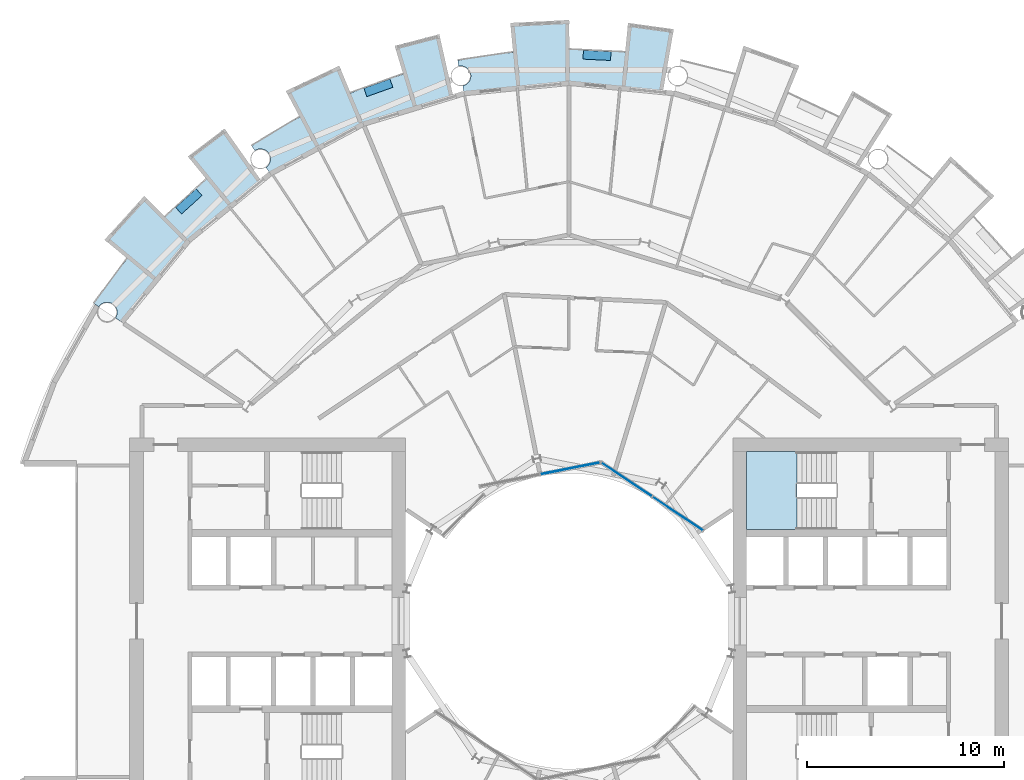
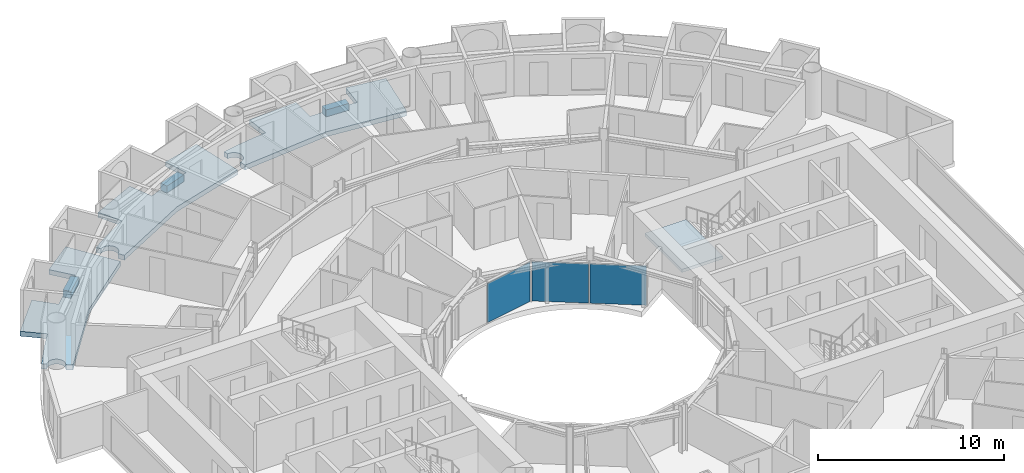
# One storey, part 11 of 26: 7 slabs, 3 plates, 3 elements without a shape of their own.
"""IFC4 building model written with IfcOpenShell, lengths in metres."""

from ifc_helpers import new_model, si_unit, direction, frame, origin, origin_2d, place, context, subcontext, project, spatial, polyline, rectangle, outline, extrude, material, layer, layer_set, type_object, element, aggregate, save


model = new_model("IFC4")

# Units and contexts
model_context = context("Model", 3, precision=1e-05, world=origin(), true_north=direction((0.0, 1.0)))
body_context = subcontext(model_context, "Body", "Model", "MODEL_VIEW")
ifc_project = project(units=[si_unit("LENGTHUNIT", "METRE"), si_unit("AREAUNIT", "SQUARE_METRE"), si_unit("VOLUMEUNIT", "CUBIC_METRE"), si_unit("PLANEANGLEUNIT", "RADIAN"), si_unit("MASSUNIT", "GRAM", prefix="KILO")], contexts=[model_context])

# Site, building, storey
site_placement = place(None, origin())
site = spatial("IfcSite", under=ifc_project, at=site_placement, CompositionType="ELEMENT")
building_placement = place(site_placement, origin())
building = spatial("IfcBuilding", under=site, at=building_placement, Name="Maasbend Ring Residences", CompositionType="ELEMENT")
storey_placement = place(building_placement, frame((0.0, 0.0, 91.050048828125)))
storey = spatial("IfcBuildingStorey", under=building, at=storey_placement, Name="L26", CompositionType="ELEMENT", Elevation=91.050048828125)

# Stair, slab
ifc_material_1 = material(Name="Concrete C40/50", Category="concrete")
stair_type = type_object("IfcStairType", Name="CORE STAIR 18 RISERS", PredefinedType="HALF_TURN_STAIR", material=ifc_material_1)
stair_placement = place(storey_placement, origin())
stair = element("IfcStair", 1, at=stair_placement, inside=storey, type_object=stair_type, Name="L26 Exit stair ST-E1", PredefinedType="HALF_TURN_STAIR")
ifc_material_2 = material(Name="Concrete C40/50", Category="concrete")
ifc_layer_1 = layer(ifc_material_2, 0.199951171875)
ifc_layer_set_1 = layer_set([ifc_layer_1], Name="Concrete C40/50")
slab_type_1 = type_object("IfcSlabType", Name="CORE STAIR LANDING 200", PredefinedType="LANDING", material=ifc_layer_set_1)
slab_1_placement = place(storey_placement, frame((0.0, 0.0, 1.324951171875)))
slab_1 = element("IfcSlab", 2, at=slab_1_placement, type_object=slab_type_1, Name="ST-E1 landing 1", PredefinedType="LANDING", context=body_context, shape_type="SweptSolid", body=[
    extrude(outline(polyline([(11.550048828125, 8.60009765625), (9.0, 8.60009765625), (9.0, 4.64990234375), (11.550048828125, 4.64990234375), (11.550048828125, 8.60009765625)])), origin(), (0.0, 0.0, 1.0), 0.199951171875),
])
aggregate(stair, [slab_1])

# Curtain wall, plates
ifc_material_3 = material(Name="Aluminium and clear glass", Category="aluminium")
ifc_layer_2 = layer(ifc_material_3, 0.179931640625)
ifc_layer_set_2 = layer_set([ifc_layer_2], Name="CW-W")
curtain_wall_type = type_object("IfcCurtainWallType", Name="CW-W", PredefinedType="NOTDEFINED", material=ifc_layer_set_2)
curtain_wall_1_placement = place(storey_placement, origin())
curtain_wall_1 = element("IfcCurtainWall", 3, at=curtain_wall_1_placement, inside=storey, type_object=curtain_wall_type, Name="Well curtain wall N1", PredefinedType="NOTDEFINED")
ifc_material_4 = material(Name="Glass clear laminated", Category="glass")
ifc_layer_3 = layer(ifc_material_4, 0.031982421875)
ifc_layer_set_3 = layer_set([ifc_layer_3], Name="CWP-W")
plate_type = type_object("IfcPlateType", Name="CWP-W", PredefinedType="CURTAIN_PANEL", material=ifc_layer_set_3)
plate_1_placement = place(storey_placement, frame((5.51123046875, 5.44580078125, 0.0), z_axis=(0.0, 0.0, 1.0), x_axis=(-0.831469612303, 0.55557023302, 0.0)))
plate_1 = element("IfcPlate", 4, at=plate_1_placement, type_object=plate_type, Name="Glass panel well face", PredefinedType="CURTAIN_PANEL", context=body_context, shape_type="SweptSolid", body=[
    extrude(rectangle(XDim=3.053955078125, YDim=0.031982421875, at=origin_2d()), origin(), (0.0, 0.0, 1.0), 2.580078125),
])
plate_2_placement = place(storey_placement, frame((2.922119140625, 7.17578125, 0.0), z_axis=(0.0, 0.0, 1.0), x_axis=(-0.831469612303, 0.55557023302, 0.0)))
plate_2 = element("IfcPlate", 5, at=plate_2_placement, type_object=plate_type, Name="Glass panel well face", PredefinedType="CURTAIN_PANEL", context=body_context, shape_type="SweptSolid", body=[
    extrude(rectangle(XDim=3.053955078125, YDim=0.031982421875, at=origin_2d()), origin(), (0.0, 0.0, 1.0), 2.580078125),
])
aggregate(curtain_wall_1, [plate_1, plate_2])

# Curtain wall, plate
curtain_wall_2_placement = place(storey_placement, origin())
curtain_wall_2 = element("IfcCurtainWall", 6, at=curtain_wall_2_placement, inside=storey, type_object=curtain_wall_type, Name="Well curtain wall N2", PredefinedType="NOTDEFINED")
plate_3_placement = place(storey_placement, frame((0.04638671875, 7.747802734375, 0.0), z_axis=(0.0, 0.0, 1.0), x_axis=(-0.980785280403, -0.195090322016, 0.0)))
plate_3 = element("IfcPlate", 7, at=plate_3_placement, type_object=plate_type, Name="Glass panel well face", PredefinedType="CURTAIN_PANEL", context=body_context, shape_type="SweptSolid", body=[
    extrude(rectangle(XDim=3.053955078125, YDim=0.031982421875, at=origin_2d()), origin(), (0.0, 0.0, 1.0), 2.580078125),
])
aggregate(curtain_wall_2, [plate_3])

# Slabs
ifc_material_5 = material(Name="Planting with climbing greenery")
ifc_layer_4 = layer(ifc_material_5, 0.449951171875)
ifc_layer_set_4 = layer_set([ifc_layer_4], Name="PLANTER-LG")
slab_type_2 = type_object("IfcSlabType", Name="PLANTER-LG", PredefinedType="USERDEFINED", material=ifc_layer_set_4)
slab_2_placement = place(storey_placement, frame((0.0, 0.0, -0.030029296875)))
element("IfcSlab", 8, at=slab_2_placement, inside=storey, type_object=slab_type_2, Name="Planter with climbing greenery 3", ObjectType="PLANTER", PredefinedType="USERDEFINED", context=body_context, shape_type="SweptSolid", body=[
    extrude(outline(polyline([(2.1201171875, 28.89599609375), (0.721923828125, 28.965087890625), (0.699951171875, 28.514892578125), (2.097900390625, 28.446044921875), (2.1201171875, 28.89599609375)])), origin(), (0.0, 0.0, 1.0), 0.449951171875),
])
slab_3_placement = place(storey_placement, frame((0.0, 0.0, -0.030029296875)))
element("IfcSlab", 9, at=slab_3_placement, inside=storey, type_object=slab_type_2, Name="Planter with climbing greenery 4", ObjectType="PLANTER", PredefinedType="USERDEFINED", context=body_context, shape_type="SweptSolid", body=[
    extrude(outline(polyline([(-9.09912109375, 27.508056640625), (-10.4169921875, 27.035888671875), (-10.26611328125, 26.612060546875), (-8.947021484375, 27.083984375), (-9.09912109375, 27.508056640625)])), origin(), (0.0, 0.0, 1.0), 0.449951171875),
])
slab_4_placement = place(storey_placement, frame((0.0, 0.0, -0.030029296875)))
element("IfcSlab", 10, at=slab_4_placement, inside=storey, type_object=slab_type_2, Name="Planter with climbing greenery 5", ObjectType="PLANTER", PredefinedType="USERDEFINED", context=body_context, shape_type="SweptSolid", body=[
    extrude(outline(polyline([(-18.93310546875, 21.931884765625), (-19.969970703125, 20.991943359375), (-19.66796875, 20.657958984375), (-18.631103515625, 21.597900390625), (-18.93310546875, 21.931884765625)])), origin(), (0.0, 0.0, 1.0), 0.449951171875),
])
ifc_material_6 = material(Name="Concrete C40/50", Category="concrete")
ifc_layer_5 = layer(ifc_material_6, 0.199951171875)
ifc_layer_set_5 = layer_set([ifc_layer_5], Name="Concrete C40/50")
slab_type_3 = type_object("IfcSlabType", Name="SL-LOGGIA", PredefinedType="FLOOR", material=ifc_layer_set_5)
slab_5_placement = place(storey_placement, frame((0.0, 0.0, -0.35009765625)))
element("IfcSlab", 11, at=slab_5_placement, inside=storey, type_object=slab_type_3, Name="Loggia floor 1", PredefinedType="FLOOR", context=body_context, shape_type="SweptSolid", body=[
    extrude(outline(polyline([(-14.5, 25.114990234375), (-13.6708984375, 25.574951171875), (-13.6708984375, 25.575927734375), (-13.6708984375, 25.575927734375), (-13.6708984375, 25.575927734375), (-13.6708984375, 25.575927734375), (-13.6708984375, 25.575927734375), (-13.6708984375, 25.575927734375), (-13.6708984375, 25.575927734375), (-13.6708984375, 25.575927734375), (-13.6708984375, 25.575927734375), (-13.6708984375, 25.575927734375), (-13.6708984375, 25.575927734375), (-13.6708984375, 25.575927734375), (-13.6708984375, 25.575927734375), (-13.6708984375, 25.575927734375), (-13.6708984375, 25.575927734375), (-13.6708984375, 25.575927734375), (-14.3779296875, 26.89892578125), (-14.3779296875, 26.89892578125), (-14.3779296875, 26.89892578125), (-11.672119140625, 28.177978515625), (-11.672119140625, 28.177978515625), (-11.672119140625, 28.177978515625), (-11.097900390625, 26.79296875), (-11.097900390625, 26.79296875), (-11.097900390625, 26.79296875), (-11.097900390625, 26.79296875), (-11.097900390625, 26.79296875), (-11.097900390625, 26.79296875), (-11.097900390625, 26.79296875), (-11.097900390625, 26.79296875), (-11.097900390625, 26.79296875), (-11.097900390625, 26.79296875), (-11.097900390625, 26.79296875), (-11.097900390625, 26.79296875), (-11.097900390625, 26.79296875), (-11.097900390625, 26.79296875), (-11.096923828125, 26.79296875), (-11.096923828125, 26.79296875), (-11.096923828125, 26.79296875), (-10.215087890625, 27.14111328125), (-10.215087890625, 27.14111328125), (-9.322021484375, 27.4609375), (-9.322021484375, 27.4609375), (-8.4189453125, 27.7509765625), (-8.4189453125, 27.7509765625), (-8.4189453125, 27.7509765625), (-8.4189453125, 27.7509765625), (-8.4189453125, 27.7509765625), (-8.4189453125, 27.7509765625), (-8.41796875, 27.7509765625), (-8.41796875, 27.7509765625), (-8.41796875, 27.7509765625), (-8.41796875, 27.7509765625), (-8.41796875, 27.7509765625), (-8.41796875, 27.751953125), (-8.41796875, 27.751953125), (-8.41796875, 27.751953125), (-8.41796875, 27.751953125), (-8.41796875, 27.751953125), (-8.41796875, 27.751953125), (-8.85400390625, 29.18701171875), (-8.85400390625, 29.18701171875), (-8.85400390625, 29.18701171875), (-6.593994140625, 29.779052734375), (-6.593994140625, 29.779052734375), (-6.593994140625, 29.779052734375), (-5.89111328125, 26.60400390625), (-5.89111328125, 26.60400390625), (-5.89111328125, 26.60400390625), (-7.886962890625, 25.9990234375), (-10.447021484375, 25.221923828125), (-10.447021484375, 25.221923828125), (-10.447021484375, 25.221923828125), (-12.806884765625, 23.9609375), (-15.1669921875, 22.698974609375), (-15.1669921875, 22.698974609375), (-15.1669921875, 22.698974609375), (-15.385009765625, 23.02490234375), (-15.375, 23.031982421875), (-15.364013671875, 23.0390625), (-15.35498046875, 23.047119140625), (-15.344970703125, 23.054931640625), (-15.3349609375, 23.06298828125), (-15.325927734375, 23.071044921875), (-15.31689453125, 23.0791015625), (-15.30810546875, 23.087890625), (-15.299072265625, 23.096923828125), (-15.291015625, 23.10595703125), (-15.281982421875, 23.115966796875), (-15.27392578125, 23.125), (-15.26708984375, 23.135009765625), (-15.259033203125, 23.14501953125), (-15.251953125, 23.155029296875), (-15.2451171875, 23.1650390625), (-15.238037109375, 23.176025390625), (-15.23095703125, 23.18603515625), (-15.22509765625, 23.197021484375), (-15.218994140625, 23.2080078125), (-15.212890625, 23.218994140625), (-15.2080078125, 23.22998046875), (-15.202880859375, 23.241943359375), (-15.197998046875, 23.2529296875), (-15.193115234375, 23.264892578125), (-15.18896484375, 23.27587890625), (-15.18505859375, 23.2880859375), (-15.180908203125, 23.300048828125), (-15.177978515625, 23.31201171875), (-15.174072265625, 23.323974609375), (-15.1708984375, 23.3359375), (-15.1689453125, 23.347900390625), (-15.1669921875, 23.361083984375), (-15.1650390625, 23.373046875), (-15.1630859375, 23.385009765625), (-15.162109375, 23.39794921875), (-15.159912109375, 23.409912109375), (-15.159912109375, 23.422119140625), (-15.158935546875, 23.43505859375), (-15.158935546875, 23.447021484375), (-15.158935546875, 23.4599609375), (-15.159912109375, 23.471923828125), (-15.159912109375, 23.485107421875), (-15.162109375, 23.4970703125), (-15.1630859375, 23.510009765625), (-15.1650390625, 23.52197265625), (-15.1669921875, 23.533935546875), (-15.1689453125, 23.547119140625), (-15.1708984375, 23.55908203125), (-15.174072265625, 23.571044921875), (-15.177978515625, 23.5830078125), (-15.180908203125, 23.594970703125), (-15.18505859375, 23.60693359375), (-15.18896484375, 23.618896484375), (-15.193115234375, 23.6298828125), (-15.197998046875, 23.64208984375), (-15.202880859375, 23.653076171875), (-15.2080078125, 23.6650390625), (-15.212890625, 23.676025390625), (-15.218994140625, 23.68701171875), (-15.22509765625, 23.697998046875), (-15.23095703125, 23.708984375), (-15.238037109375, 23.718994140625), (-15.2451171875, 23.72998046875), (-15.251953125, 23.739990234375), (-15.259033203125, 23.75), (-15.26708984375, 23.760009765625), (-15.27392578125, 23.77001953125), (-15.281982421875, 23.779052734375), (-15.291015625, 23.7890625), (-15.299072265625, 23.798095703125), (-15.30810546875, 23.806884765625), (-15.31689453125, 23.81494140625), (-15.325927734375, 23.823974609375), (-15.3349609375, 23.83203125), (-15.344970703125, 23.840087890625), (-15.35498046875, 23.847900390625), (-15.364013671875, 23.85498046875), (-15.375, 23.863037109375), (-15.385009765625, 23.8701171875), (-15.39501953125, 23.876953125), (-15.406005859375, 23.883056640625), (-15.4169921875, 23.888916015625), (-15.427978515625, 23.89501953125), (-15.43896484375, 23.90087890625), (-15.449951171875, 23.906982421875), (-15.4609375, 23.912109375), (-15.472900390625, 23.9169921875), (-15.48388671875, 23.9208984375), (-15.49609375, 23.926025390625), (-15.508056640625, 23.929931640625), (-15.52001953125, 23.93408203125), (-15.531982421875, 23.93701171875), (-15.5439453125, 23.93994140625), (-15.555908203125, 23.943115234375), (-15.568115234375, 23.946044921875), (-15.580078125, 23.947998046875), (-15.593017578125, 23.949951171875), (-15.60498046875, 23.951904296875), (-15.616943359375, 23.952880859375), (-15.6298828125, 23.9541015625), (-15.64208984375, 23.955078125), (-15.655029296875, 23.955078125), (-15.6669921875, 23.955078125), (-15.679931640625, 23.955078125), (-15.69189453125, 23.955078125), (-15.7041015625, 23.9541015625), (-15.717041015625, 23.952880859375), (-15.72900390625, 23.951904296875), (-15.741943359375, 23.949951171875), (-15.75390625, 23.947998046875), (-15.76611328125, 23.946044921875), (-15.778076171875, 23.943115234375), (-15.791015625, 23.93994140625), (-15.802978515625, 23.93701171875), (-15.81494140625, 23.93408203125), (-15.825927734375, 23.929931640625), (-15.837890625, 23.926025390625), (-15.85009765625, 23.9208984375), (-15.862060546875, 23.9169921875), (-15.873046875, 23.912109375), (-15.884033203125, 23.906982421875), (-15.89599609375, 23.90087890625), (-15.906982421875, 23.89501953125), (-15.9169921875, 23.888916015625), (-15.927978515625, 23.883056640625), (-15.93896484375, 23.876953125), (-15.948974609375, 23.8701171875), (-16.112060546875, 24.113037109375), (-16.112060546875, 24.113037109375), (-16.112060546875, 24.113037109375), (-15.31396484375, 24.626953125), (-15.31396484375, 24.626953125), (-14.5, 25.114990234375), (-14.5, 25.114990234375)])), origin(), (0.0, 0.0, 1.0), 0.320068359375),
])
slab_6_placement = place(storey_placement, frame((0.0, 0.0, -0.35009765625)))
element("IfcSlab", 12, at=slab_6_placement, inside=storey, type_object=slab_type_3, Name="Loggia floor 3", PredefinedType="FLOOR", context=body_context, shape_type="SweptSolid", body=[
    extrude(outline(polyline([(-3.784912109375, 28.751953125), (-2.843017578125, 28.860107421875), (-2.843017578125, 28.860107421875), (-2.843017578125, 28.860107421875), (-2.843017578125, 28.860107421875), (-2.843017578125, 28.860107421875), (-2.843017578125, 28.860107421875), (-2.843017578125, 28.860107421875), (-2.843017578125, 28.860107421875), (-2.843017578125, 28.860107421875), (-2.843017578125, 28.861083984375), (-2.843017578125, 28.861083984375), (-2.843017578125, 28.861083984375), (-2.843017578125, 28.861083984375), (-2.843017578125, 28.861083984375), (-2.843017578125, 28.861083984375), (-2.843017578125, 28.861083984375), (-2.843017578125, 28.861083984375), (-2.989990234375, 30.35302734375), (-2.989990234375, 30.35302734375), (-2.989990234375, 30.35302734375), (0.0, 30.5), (0.0, 30.5), (0.0, 30.5), (0.0, 29.0), (0.0, 29.0), (0.0, 29.0), (0.0, 29.0), (0.0, 29.0), (0.0, 29.0), (0.0, 29.0), (0.0, 29.0), (0.0, 29.0), (0.0, 29.0), (0.0, 29.0), (0.0, 29.0), (0.0, 29.0), (0.0, 29.0), (0.0, 29.0), (0.0, 29.0), (0.0, 29.0), (0.948974609375, 28.98388671875), (0.948974609375, 28.98388671875), (1.89697265625, 28.93798828125), (1.89697265625, 28.93798828125), (2.842041015625, 28.860107421875), (2.842041015625, 28.860107421875), (2.842041015625, 28.860107421875), (2.842041015625, 28.860107421875), (2.842041015625, 28.860107421875), (2.842041015625, 28.860107421875), (2.842041015625, 28.860107421875), (2.842041015625, 28.860107421875), (2.842041015625, 28.861083984375), (2.842041015625, 28.861083984375), (2.842041015625, 28.861083984375), (2.842041015625, 28.861083984375), (2.842041015625, 28.861083984375), (2.843017578125, 28.861083984375), (2.843017578125, 28.861083984375), (2.843017578125, 28.861083984375), (2.843017578125, 28.861083984375), (2.989990234375, 30.35302734375), (2.989990234375, 30.35302734375), (2.989990234375, 30.35302734375), (5.303955078125, 30.034912109375), (5.303955078125, 30.034912109375), (5.303955078125, 30.034912109375), (4.739013671875, 26.8330078125), (4.739013671875, 26.8330078125), (4.739013671875, 26.8330078125), (2.6630859375, 27.0380859375), (0.0, 27.300048828125), (0.0, 27.300048828125), (0.0, 27.300048828125), (-2.6630859375, 27.0380859375), (-5.325927734375, 26.77490234375), (-5.325927734375, 26.77490234375), (-5.325927734375, 26.77490234375), (-5.402099609375, 27.159912109375), (-5.402099609375, 27.159912109375), (-5.389892578125, 27.162109375), (-5.3779296875, 27.1650390625), (-5.365966796875, 27.1689453125), (-5.35400390625, 27.172119140625), (-5.342041015625, 27.176025390625), (-5.330078125, 27.179931640625), (-5.319091796875, 27.18408203125), (-5.306884765625, 27.18896484375), (-5.2958984375, 27.194091796875), (-5.283935546875, 27.198974609375), (-5.27294921875, 27.2041015625), (-5.261962890625, 27.2099609375), (-5.2509765625, 27.216064453125), (-5.239990234375, 27.221923828125), (-5.22998046875, 27.22900390625), (-5.218994140625, 27.236083984375), (-5.208984375, 27.242919921875), (-5.198974609375, 27.25), (-5.18896484375, 27.258056640625), (-5.178955078125, 27.264892578125), (-5.169921875, 27.27294921875), (-5.159912109375, 27.281982421875), (-5.15087890625, 27.2900390625), (-5.14208984375, 27.299072265625), (-5.134033203125, 27.30810546875), (-5.125, 27.31689453125), (-5.116943359375, 27.325927734375), (-5.10888671875, 27.3359375), (-5.10107421875, 27.345947265625), (-5.093017578125, 27.35498046875), (-5.0859375, 27.365966796875), (-5.0791015625, 27.3759765625), (-5.072021484375, 27.385986328125), (-5.06591796875, 27.39697265625), (-5.05908203125, 27.407958984375), (-5.052978515625, 27.4189453125), (-5.048095703125, 27.429931640625), (-5.0419921875, 27.44091796875), (-5.037109375, 27.451904296875), (-5.031982421875, 27.464111328125), (-5.028076171875, 27.47509765625), (-5.02294921875, 27.487060546875), (-5.01904296875, 27.4990234375), (-5.014892578125, 27.510986328125), (-5.011962890625, 27.52294921875), (-5.009033203125, 27.534912109375), (-5.006103515625, 27.547119140625), (-5.0029296875, 27.55908203125), (-5.0009765625, 27.571044921875), (-4.9990234375, 27.583984375), (-4.9970703125, 27.595947265625), (-4.99609375, 27.60791015625), (-4.9951171875, 27.62109375), (-4.993896484375, 27.633056640625), (-4.993896484375, 27.64599609375), (-4.993896484375, 27.657958984375), (-4.993896484375, 27.6708984375), (-4.993896484375, 27.68310546875), (-4.9951171875, 27.695068359375), (-4.99609375, 27.7080078125), (-4.9970703125, 27.719970703125), (-4.9990234375, 27.73291015625), (-5.0009765625, 27.7451171875), (-5.0029296875, 27.757080078125), (-5.006103515625, 27.76904296875), (-5.009033203125, 27.781982421875), (-5.011962890625, 27.7939453125), (-5.014892578125, 27.805908203125), (-5.01904296875, 27.81689453125), (-5.02294921875, 27.8291015625), (-5.028076171875, 27.841064453125), (-5.031982421875, 27.85302734375), (-5.037109375, 27.864013671875), (-5.0419921875, 27.875), (-5.048095703125, 27.886962890625), (-5.052978515625, 27.89794921875), (-5.05908203125, 27.907958984375), (-5.06591796875, 27.9189453125), (-5.072021484375, 27.929931640625), (-5.0791015625, 27.93994140625), (-5.0859375, 27.950927734375), (-5.093017578125, 27.9609375), (-5.10107421875, 27.970947265625), (-5.10888671875, 27.97998046875), (-5.116943359375, 27.989990234375), (-5.125, 27.9990234375), (-5.134033203125, 28.008056640625), (-5.14208984375, 28.01708984375), (-5.15087890625, 28.02587890625), (-5.159912109375, 28.034912109375), (-5.169921875, 28.04296875), (-5.178955078125, 28.051025390625), (-5.18896484375, 28.05908203125), (-5.198974609375, 28.06591796875), (-5.208984375, 28.072998046875), (-5.218994140625, 28.080078125), (-5.22998046875, 28.0869140625), (-5.239990234375, 28.093994140625), (-5.2509765625, 28.10009765625), (-5.261962890625, 28.10595703125), (-5.27294921875, 28.112060546875), (-5.283935546875, 28.116943359375), (-5.2958984375, 28.123046875), (-5.306884765625, 28.126953125), (-5.319091796875, 28.132080078125), (-5.330078125, 28.135986328125), (-5.342041015625, 28.139892578125), (-5.35400390625, 28.14404296875), (-5.365966796875, 28.14794921875), (-5.3779296875, 28.15087890625), (-5.389892578125, 28.154052734375), (-5.402099609375, 28.156005859375), (-5.4150390625, 28.158935546875), (-5.427001953125, 28.160888671875), (-5.43896484375, 28.162109375), (-5.451904296875, 28.1640625), (-5.464111328125, 28.1650390625), (-5.47705078125, 28.1650390625), (-5.489013671875, 28.166015625), (-5.501953125, 28.166015625), (-5.513916015625, 28.166015625), (-5.52587890625, 28.1650390625), (-5.5390625, 28.1650390625), (-5.551025390625, 28.1640625), (-5.56396484375, 28.162109375), (-5.575927734375, 28.160888671875), (-5.587890625, 28.158935546875), (-5.60107421875, 28.156005859375), (-5.60107421875, 28.156005859375), (-5.657958984375, 28.443115234375), (-5.657958984375, 28.443115234375), (-5.657958984375, 28.443115234375), (-4.72412109375, 28.613037109375), (-4.72412109375, 28.613037109375), (-3.784912109375, 28.751953125), (-3.784912109375, 28.751953125)])), origin(), (0.0, 0.0, 1.0), 0.320068359375),
])
slab_7_placement = place(storey_placement, frame((0.0, 0.0, -0.35009765625)))
element("IfcSlab", 13, at=slab_7_placement, inside=storey, type_object=slab_type_3, Name="Loggia floor 5", PredefinedType="FLOOR", context=body_context, shape_type="SweptSolid", body=[
    extrude(outline(polyline([(-23.007080078125, 17.654052734375), (-22.41796875, 18.39697265625), (-22.41796875, 18.39697265625), (-22.41796875, 18.39697265625), (-22.41796875, 18.39697265625), (-22.41796875, 18.39697265625), (-22.41796875, 18.39697265625), (-22.41796875, 18.39697265625), (-22.41796875, 18.39697265625), (-22.41796875, 18.39697265625), (-22.41796875, 18.39697265625), (-22.41796875, 18.39697265625), (-22.41796875, 18.39794921875), (-22.41796875, 18.39794921875), (-22.41796875, 18.39794921875), (-22.41796875, 18.39794921875), (-22.41796875, 18.39794921875), (-22.41796875, 18.39794921875), (-23.576904296875, 19.34912109375), (-23.576904296875, 19.34912109375), (-23.576904296875, 19.34912109375), (-21.56689453125, 21.56689453125), (-21.56689453125, 21.56689453125), (-21.56689453125, 21.56689453125), (-20.506103515625, 20.506103515625), (-20.506103515625, 20.506103515625), (-20.506103515625, 20.506103515625), (-20.506103515625, 20.506103515625), (-20.506103515625, 20.506103515625), (-20.506103515625, 20.506103515625), (-20.506103515625, 20.506103515625), (-20.506103515625, 20.506103515625), (-20.506103515625, 20.506103515625), (-20.506103515625, 20.506103515625), (-20.506103515625, 20.506103515625), (-20.506103515625, 20.506103515625), (-20.506103515625, 20.506103515625), (-20.506103515625, 20.506103515625), (-20.506103515625, 20.506103515625), (-20.506103515625, 20.506103515625), (-20.506103515625, 20.506103515625), (-19.823974609375, 21.166015625), (-19.823974609375, 21.166015625), (-19.12109375, 21.802978515625), (-19.12109375, 21.802978515625), (-18.39794921875, 22.4169921875), (-18.39794921875, 22.4169921875), (-18.39794921875, 22.4169921875), (-18.39794921875, 22.4169921875), (-18.39794921875, 22.4169921875), (-18.39794921875, 22.4169921875), (-18.39794921875, 22.4169921875), (-18.39794921875, 22.4169921875), (-18.39794921875, 22.4169921875), (-18.39794921875, 22.4169921875), (-18.39794921875, 22.4169921875), (-18.39794921875, 22.4169921875), (-18.39794921875, 22.41796875), (-18.39794921875, 22.41796875), (-18.39794921875, 22.41796875), (-18.39794921875, 22.41796875), (-18.39794921875, 22.41796875), (-19.34912109375, 23.576904296875), (-19.34912109375, 23.576904296875), (-19.34912109375, 23.576904296875), (-17.488037109375, 24.989013671875), (-17.488037109375, 24.989013671875), (-17.488037109375, 24.989013671875), (-15.623046875, 22.324951171875), (-15.623046875, 22.324951171875), (-15.623046875, 22.324951171875), (-17.236083984375, 21.001953125), (-19.303955078125, 19.303955078125), (-19.303955078125, 19.303955078125), (-19.303955078125, 19.303955078125), (-21.001953125, 17.236083984375), (-22.698974609375, 15.1669921875), (-22.698974609375, 15.1669921875), (-22.698974609375, 15.1669921875), (-23.02490234375, 15.385009765625), (-23.02490234375, 15.385009765625), (-23.01806640625, 15.39501953125), (-23.011962890625, 15.406005859375), (-23.0048828125, 15.4169921875), (-22.9990234375, 15.427978515625), (-22.993896484375, 15.43896484375), (-22.988037109375, 15.449951171875), (-22.98291015625, 15.4609375), (-22.97802734375, 15.472900390625), (-22.972900390625, 15.48388671875), (-22.968994140625, 15.49609375), (-22.965087890625, 15.508056640625), (-22.9609375, 15.52001953125), (-22.9580078125, 15.531982421875), (-22.955078125, 15.5439453125), (-22.951904296875, 15.555908203125), (-22.948974609375, 15.568115234375), (-22.947021484375, 15.580078125), (-22.945068359375, 15.593017578125), (-22.943115234375, 15.60498046875), (-22.94189453125, 15.616943359375), (-22.94091796875, 15.6298828125), (-22.93994140625, 15.64208984375), (-22.93994140625, 15.655029296875), (-22.93896484375, 15.6669921875), (-22.93994140625, 15.679931640625), (-22.93994140625, 15.69189453125), (-22.94091796875, 15.7041015625), (-22.94189453125, 15.717041015625), (-22.943115234375, 15.72900390625), (-22.945068359375, 15.741943359375), (-22.947021484375, 15.75390625), (-22.948974609375, 15.76611328125), (-22.951904296875, 15.778076171875), (-22.955078125, 15.791015625), (-22.9580078125, 15.802978515625), (-22.9609375, 15.81494140625), (-22.965087890625, 15.825927734375), (-22.968994140625, 15.837890625), (-22.972900390625, 15.85009765625), (-22.97802734375, 15.862060546875), (-22.98291015625, 15.873046875), (-22.988037109375, 15.884033203125), (-22.993896484375, 15.89599609375), (-22.9990234375, 15.906982421875), (-23.0048828125, 15.9169921875), (-23.011962890625, 15.927978515625), (-23.01806640625, 15.93896484375), (-23.02490234375, 15.948974609375), (-23.031982421875, 15.9599609375), (-23.0390625, 15.969970703125), (-23.047119140625, 15.97998046875), (-23.054931640625, 15.989013671875), (-23.06298828125, 15.9990234375), (-23.071044921875, 16.008056640625), (-23.0791015625, 16.01708984375), (-23.087890625, 16.02587890625), (-23.096923828125, 16.034912109375), (-23.10595703125, 16.0439453125), (-23.115966796875, 16.052001953125), (-23.125, 16.06005859375), (-23.135009765625, 16.068115234375), (-23.14501953125, 16.074951171875), (-23.155029296875, 16.08203125), (-23.1650390625, 16.089111328125), (-23.176025390625, 16.095947265625), (-23.18603515625, 16.10302734375), (-23.197021484375, 16.10888671875), (-23.2080078125, 16.114990234375), (-23.218994140625, 16.12109375), (-23.22998046875, 16.1259765625), (-23.241943359375, 16.132080078125), (-23.2529296875, 16.135986328125), (-23.264892578125, 16.14111328125), (-23.27587890625, 16.14501953125), (-23.2880859375, 16.14892578125), (-23.300048828125, 16.153076171875), (-23.31201171875, 16.156982421875), (-23.323974609375, 16.159912109375), (-23.3359375, 16.1630859375), (-23.347900390625, 16.1650390625), (-23.361083984375, 16.16796875), (-23.373046875, 16.169921875), (-23.385009765625, 16.1708984375), (-23.39794921875, 16.173095703125), (-23.409912109375, 16.174072265625), (-23.422119140625, 16.174072265625), (-23.43505859375, 16.175048828125), (-23.447021484375, 16.175048828125), (-23.4599609375, 16.175048828125), (-23.471923828125, 16.174072265625), (-23.485107421875, 16.174072265625), (-23.4970703125, 16.173095703125), (-23.510009765625, 16.1708984375), (-23.52197265625, 16.169921875), (-23.533935546875, 16.16796875), (-23.547119140625, 16.1650390625), (-23.55908203125, 16.1630859375), (-23.571044921875, 16.159912109375), (-23.5830078125, 16.156982421875), (-23.594970703125, 16.153076171875), (-23.60693359375, 16.14892578125), (-23.618896484375, 16.14501953125), (-23.6298828125, 16.14111328125), (-23.64208984375, 16.135986328125), (-23.653076171875, 16.132080078125), (-23.6650390625, 16.1259765625), (-23.676025390625, 16.12109375), (-23.68701171875, 16.114990234375), (-23.697998046875, 16.10888671875), (-23.708984375, 16.10302734375), (-23.718994140625, 16.095947265625), (-23.72998046875, 16.089111328125), (-23.739990234375, 16.08203125), (-23.75, 16.074951171875), (-23.760009765625, 16.068115234375), (-23.77001953125, 16.06005859375), (-23.779052734375, 16.052001953125), (-23.7890625, 16.0439453125), (-23.798095703125, 16.034912109375), (-23.806884765625, 16.02587890625), (-23.81494140625, 16.01708984375), (-23.823974609375, 16.008056640625), (-23.83203125, 15.9990234375), (-23.840087890625, 15.989013671875), (-23.847900390625, 15.97998046875), (-23.85498046875, 15.969970703125), (-23.863037109375, 15.9599609375), (-23.8701171875, 15.948974609375), (-23.8701171875, 15.948974609375), (-24.113037109375, 16.112060546875), (-24.113037109375, 16.112060546875), (-24.113037109375, 16.112060546875), (-23.572998046875, 16.89208984375), (-23.572998046875, 16.89208984375), (-23.007080078125, 17.654052734375), (-23.007080078125, 17.654052734375)])), origin(), (0.0, 0.0, 1.0), 0.320068359375),
])

save(model, "model.ifc")
